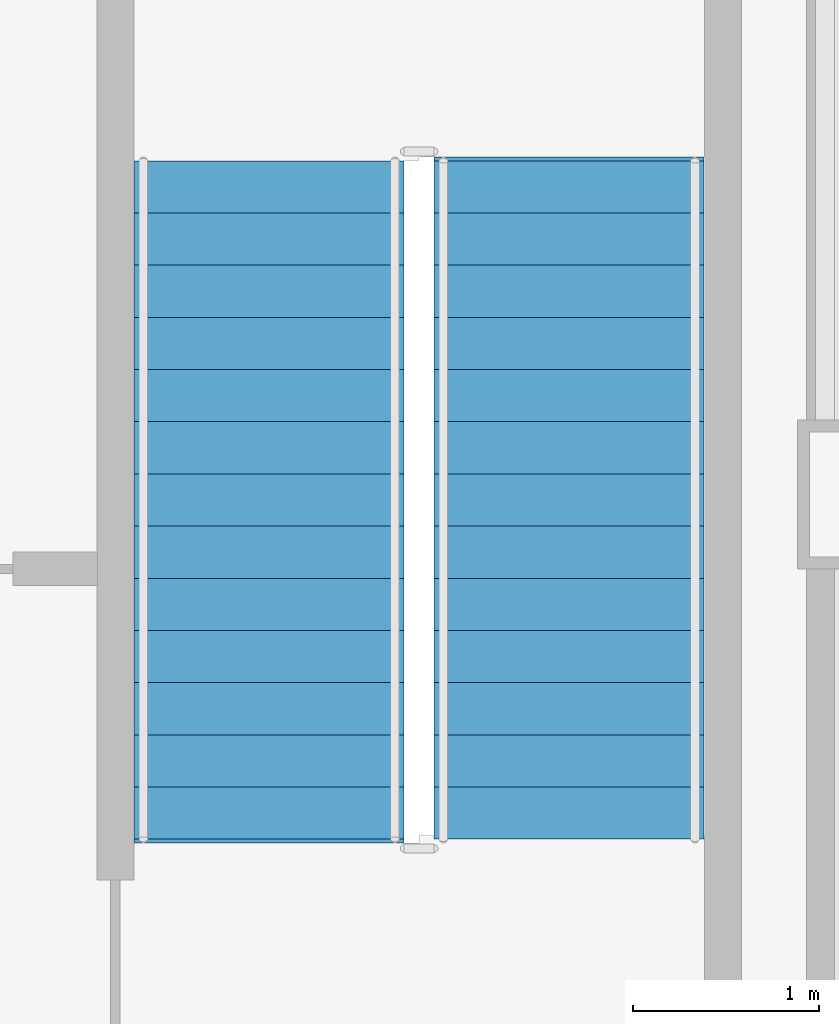
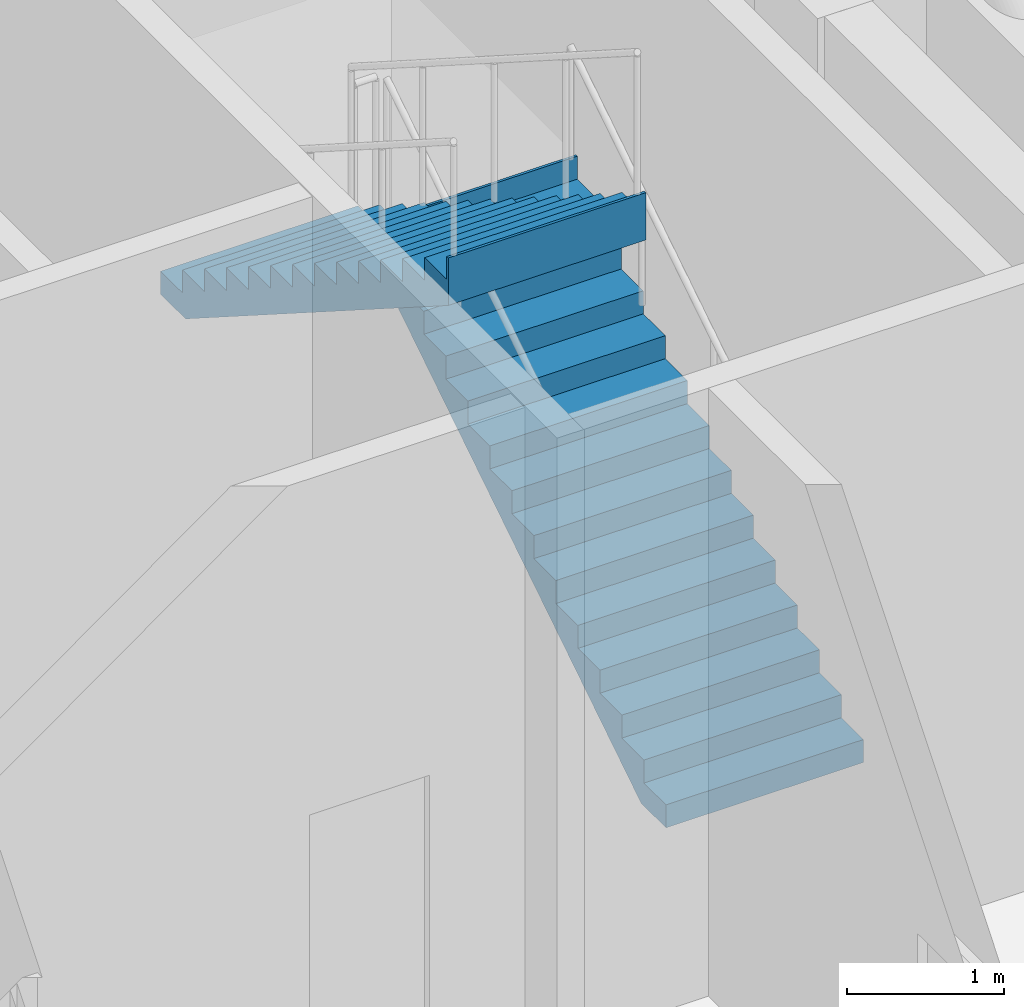
# One storey, part 8 of 12: 2 stair flights, 1 element without a shape of its own.
"""IFC4 building model written with IfcOpenShell, lengths in metres."""

from ifc_helpers import new_model, si_unit, direction, frame, origin, place, context, subcontext, project, spatial, polyline, outline, extrude, material, type_object, element, aggregate, save


model = new_model("IFC4")

# Units and contexts
model_context = context("Model", 3, precision=1e-05, world=origin(), true_north=direction((0.0, 1.0)))
body_context = subcontext(model_context, "Body", "Model", "MODEL_VIEW")
ifc_project = project(units=[si_unit("LENGTHUNIT", "METRE"), si_unit("AREAUNIT", "SQUARE_METRE"), si_unit("VOLUMEUNIT", "CUBIC_METRE"), si_unit("PLANEANGLEUNIT", "RADIAN"), si_unit("MASSUNIT", "GRAM", prefix="KILO")], contexts=[model_context])

# Site, building, storey
site_placement = place(None, origin())
site = spatial("IfcSite", under=ifc_project, at=site_placement, CompositionType="ELEMENT")
building_placement = place(site_placement, origin())
building = spatial("IfcBuilding", under=site, at=building_placement, Name="Nuvemarco Arch Tower", CompositionType="ELEMENT")
storey_placement = place(building_placement, frame((0.0, 0.0, 252.949951171875)))
storey = spatial("IfcBuildingStorey", under=building, at=storey_placement, Name="L67", CompositionType="ELEMENT", Elevation=252.949951171875)

# Stair, stair flights
ifc_material = material(Name="Precast concrete C45/55", Category="concrete")
stair_type = type_object("IfcStairType", Name="ST-CORE-28R", PredefinedType="HALF_TURN_STAIR", material=ifc_material)
stair_placement = place(storey_placement, origin())
stair = element("IfcStair", 1, at=stair_placement, inside=storey, type_object=stair_type, Name="L67 Protected Exit Stair ST-2", PredefinedType="HALF_TURN_STAIR")
stair_flight_type = type_object("IfcStairFlightType", Name="SF-CORE-28R", PredefinedType="STRAIGHT", material=ifc_material)
stair_flight_1_placement = place(storey_placement, frame((15.875, 2.64990234375, 0.0), z_axis=(0.0, 0.0, 1.0), x_axis=(0.0, 1.0, 0.0)))
stair_flight_1 = element("IfcStairFlight", 2, at=stair_flight_1_placement, type_object=stair_flight_type, Name="ST-28R flight 1", NumberOfRisers=14, NumberOfTreads=13, PredefinedType="STRAIGHT", RiserHeight=0.178571429, TreadLength=0.28, context=body_context, shape_type="SweptSolid", body=[
    extrude(outline(polyline([(0.0, 0.0), (0.0, 0.178466796875), (0.280029296875, 0.178466796875), (0.280029296875, 0.357177734375), (0.56005859375, 0.357177734375), (0.56005859375, 0.53564453125), (0.840087890625, 0.53564453125), (0.840087890625, 0.71435546875), (1.1201171875, 0.71435546875), (1.1201171875, 0.892822265625), (1.39990234375, 0.892822265625), (1.39990234375, 1.071533203125), (1.679931640625, 1.071533203125), (1.679931640625, 1.25), (1.9599609375, 1.25), (1.9599609375, 1.428466796875), (2.239990234375, 1.428466796875), (2.239990234375, 1.607177734375), (2.52001953125, 1.607177734375), (2.52001953125, 1.78564453125), (2.800048828125, 1.78564453125), (2.800048828125, 1.96435546875), (3.080078125, 1.96435546875), (3.080078125, 2.142822265625), (3.360107421875, 2.142822265625), (3.360107421875, 2.321533203125), (3.639892578125, 2.321533203125), (3.639892578125, 2.5), (3.659912109375, 2.5), (3.659912109375, 2.1318359375), (0.3173828125, 0.0), (0.0, 0.0)])), frame((0.0, 0.72509765625, 0.0), z_axis=(0.0, -1.0, 0.0), x_axis=(1.0, 0.0, 0.0)), (0.0, 0.0, 1.0), 1.449951171875),
])
stair_flight_2_placement = place(storey_placement, frame((14.264892578125, 6.2900390625, 2.5), z_axis=(0.0, 0.0, 1.0), x_axis=(0.0, -1.0, 0.0)))
stair_flight_2 = element("IfcStairFlight", 3, at=stair_flight_2_placement, type_object=stair_flight_type, Name="ST-28R flight 2", NumberOfRisers=14, NumberOfTreads=13, PredefinedType="STRAIGHT", RiserHeight=0.178571429, TreadLength=0.28, context=body_context, shape_type="SweptSolid", body=[
    extrude(outline(polyline([(0.0, 0.0), (0.0, 0.178466796875), (0.280029296875, 0.178466796875), (0.280029296875, 0.357177734375), (0.56005859375, 0.357177734375), (0.56005859375, 0.53564453125), (0.840087890625, 0.53564453125), (0.840087890625, 0.71435546875), (1.1201171875, 0.71435546875), (1.1201171875, 0.892822265625), (1.39990234375, 0.892822265625), (1.39990234375, 1.071533203125), (1.679931640625, 1.071533203125), (1.679931640625, 1.25), (1.9599609375, 1.25), (1.9599609375, 1.428466796875), (2.239990234375, 1.428466796875), (2.239990234375, 1.607177734375), (2.52001953125, 1.607177734375), (2.52001953125, 1.78564453125), (2.800048828125, 1.78564453125), (2.800048828125, 1.96435546875), (3.080078125, 1.96435546875), (3.080078125, 2.142822265625), (3.360107421875, 2.142822265625), (3.360107421875, 2.321533203125), (3.639892578125, 2.321533203125), (3.639892578125, 2.5), (3.659912109375, 2.5), (3.659912109375, 2.1318359375), (0.3173828125, 0.0), (0.0, 0.0)])), frame((0.0, 0.72509765625, 0.0), z_axis=(0.0, -1.0, 0.0), x_axis=(1.0, 0.0, 0.0)), (0.0, 0.0, 1.0), 1.449951171875),
])
aggregate(stair, [stair_flight_1, stair_flight_2])

save(model, "model.ifc")
